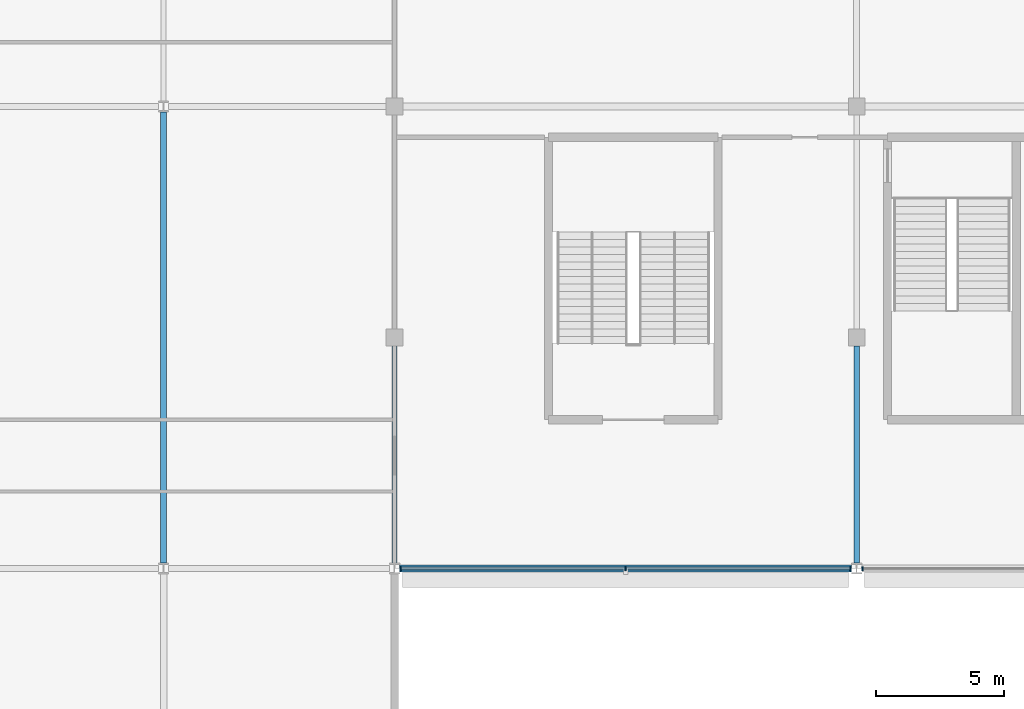
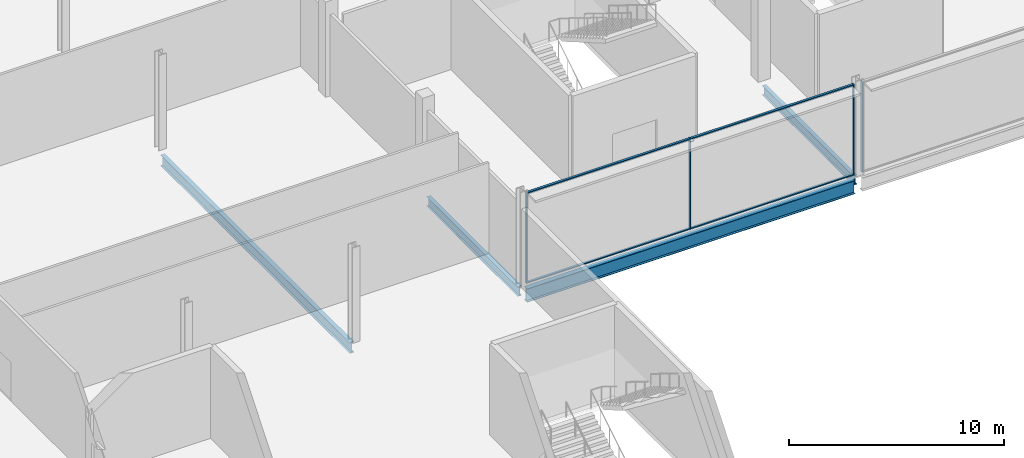
# One storey, part 27 of 111: 8 members, 4 beams, 2 elements without a shape of their own.
"""IFC4 building model written with IfcOpenShell, lengths in metres."""

from ifc_helpers import new_model, si_unit, direction, frame, origin, origin_2d, place, context, subcontext, project, spatial, rectangle, i_section, extrude, material, layer, layer_set, material_profile, profile_set, type_object, element, aggregate, save


model = new_model("IFC4")

# Units and contexts
model_context = context("Model", 3, precision=1e-05, world=origin(), true_north=direction((0.0, 1.0)))
body_context = subcontext(model_context, "Body", "Model", "MODEL_VIEW")
ifc_project = project(units=[si_unit("LENGTHUNIT", "METRE"), si_unit("AREAUNIT", "SQUARE_METRE"), si_unit("VOLUMEUNIT", "CUBIC_METRE"), si_unit("PLANEANGLEUNIT", "RADIAN"), si_unit("MASSUNIT", "GRAM", prefix="KILO")], contexts=[model_context])

# Site, building, storey
site_placement = place(None, origin())
site = spatial("IfcSite", under=ifc_project, at=site_placement, CompositionType="ELEMENT")
building_placement = place(site_placement, origin())
building = spatial("IfcBuilding", under=site, at=building_placement, Name="Kisiwana Market Hall", CompositionType="ELEMENT")
storey_placement = place(building_placement, frame((0.0, 0.0, 11.39990234375)))
storey = spatial("IfcBuildingStorey", under=building, at=storey_placement, Name="L02", CompositionType="ELEMENT", Elevation=11.39990234375)

# Beams
ifc_material_1 = material(Name="Steel S355", Category="steel")
ifc_material_profile_1 = material_profile(ifc_material_1, i_section(OverallWidth=0.209228515625, OverallDepth=0.533203125, WebThickness=0.010009765625, FlangeThickness=0.015625, at=origin_2d()), Name="UB 533x210x92")
ifc_profile_set_1 = profile_set([ifc_material_profile_1], Name="Steel S355")
beam_type_1 = type_object("IfcBeamType", Name="BM-GIRD-UB533", PredefinedType="BEAM", material=ifc_profile_set_1)
for number, where, z_axis, x_axis, name in (
    (1, (45.0, 84.21337890625, -0.516357421875), (0.0, 1.0, 0.0), (-1.0, 0.0, 0.0), "Primary girder B-0627"),
    (2, (63.0, 84.21337890625, -0.516357421875), (0.0, 1.0, 0.0), (-1.0, 0.0, 0.0), "Primary girder B-0634"),
):
    element("IfcBeam", number, at=place(storey_placement, frame(where, z_axis=z_axis, x_axis=x_axis)), inside=storey, type_object=beam_type_1, Name=name, PredefinedType="BEAM", context=body_context, shape_type="SweptSolid", body=[
        extrude(i_section(OverallWidth=0.209228515625, OverallDepth=0.533203125, WebThickness=0.010009765625, FlangeThickness=0.015625, at=origin_2d()), origin(), (0.0, 0.0, 1.0), 8.465576171875),
    ])
ifc_material_2 = material(Name="Steel S355", Category="steel")
ifc_material_profile_2 = material_profile(ifc_material_2, i_section(OverallWidth=0.22900390625, OverallDepth=0.6123046875, WebThickness=0.011962890625, FlangeThickness=0.01953125, at=origin_2d()), Name="UB 610x229x125")
ifc_profile_set_2 = profile_set([ifc_material_profile_2], Name="Steel S355")
beam_type_2 = type_object("IfcBeamType", Name="BM-GIRD-UB610H", PredefinedType="BEAM", material=ifc_profile_set_2)
beam_1_placement = place(storey_placement, frame((36.0, 84.21337890625, -0.555908203125), z_axis=(0.0, 1.0, 0.0), x_axis=(-1.0, 0.0, 0.0)))
element("IfcBeam", 3, at=beam_1_placement, inside=storey, type_object=beam_type_2, Name="Primary girder B-0620", PredefinedType="BEAM", context=body_context, shape_type="SweptSolid", body=[
    extrude(i_section(OverallWidth=0.22900390625, OverallDepth=0.6123046875, WebThickness=0.011962890625, FlangeThickness=0.01953125, at=origin_2d()), origin(), (0.0, 0.0, 1.0), 17.5732421875),
])
ifc_material_3 = material(Name="Steel S355", Category="steel")
ifc_material_profile_3 = material_profile(ifc_material_3, i_section(OverallWidth=0.2666015625, OverallDepth=0.76220703125, WebThickness=0.014404296875, FlangeThickness=0.021484375, at=origin_2d()), Name="UB 762x267x173")
ifc_profile_set_3 = profile_set([ifc_material_profile_3], Name="Steel S355")
beam_type_3 = type_object("IfcBeamType", Name="BM-GIRD-UB762", PredefinedType="BEAM", material=ifc_profile_set_3)
beam_2_placement = place(storey_placement, frame((45.201904296875, 84.0, -0.631103515625), z_axis=(1.0, 0.0, 0.0), x_axis=(0.0, 1.0, 0.0)))
element("IfcBeam", 4, at=beam_2_placement, inside=storey, type_object=beam_type_3, Name="Floor beam B-0777", PredefinedType="BEAM", context=body_context, shape_type="SweptSolid", body=[
    extrude(i_section(OverallWidth=0.2666015625, OverallDepth=0.76220703125, WebThickness=0.014404296875, FlangeThickness=0.021484375, at=origin_2d()), origin(), (0.0, 0.0, 1.0), 17.59619140625),
])

# Curtain wall, members
ifc_material_4 = material(Name="Double-glazed solar-control low-E IGU", Category="glass")
ifc_layer = layer(ifc_material_4, 0.159912109375)
ifc_layer_set = layer_set([ifc_layer], Name="CW-GLD-W-6400")
curtain_wall_type = type_object("IfcCurtainWallType", Name="CW-GLD-W-6400", PredefinedType="USERDEFINED", material=ifc_layer_set)
curtain_wall_1_placement = place(storey_placement, origin())
curtain_wall_1 = element("IfcCurtainWall", 5, at=curtain_wall_1_placement, inside=storey, type_object=curtain_wall_type, Name="Unitised curtain wall CW-071 (L02)", ObjectType="UNITISED CURTAIN WALL", PredefinedType="USERDEFINED")
ifc_material_5 = material(Name="Aluminium alloy 6063-T6", Category="aluminium")
ifc_material_profile_4 = material_profile(ifc_material_5, rectangle(XDim=0.06005859375, YDim=0.159912109375, at=origin_2d()), Name="ALU MULLION 60x160")
ifc_profile_set_4 = profile_set([ifc_material_profile_4], Name="Aluminium alloy 6063-T6")
member_type_1 = type_object("IfcMemberType", Name="CW-MULL-60x160", PredefinedType="MULLION", material=ifc_profile_set_4)
member_1_placement = place(storey_placement, frame((45.236083984375, 84.0, 0.0), z_axis=(0.0, 0.0, 1.0), x_axis=(1.0, 0.0, 0.0)))
member_1 = element("IfcMember", 6, at=member_1_placement, type_object=member_type_1, Name="CW-071 mullion 1", PredefinedType="MULLION", context=body_context, shape_type="SweptSolid", body=[
    extrude(rectangle(XDim=0.06005859375, YDim=0.159912109375, at=origin_2d()), origin(), (0.0, 0.0, 1.0), 5.150146484375),
])
member_2_placement = place(storey_placement, frame((54.0, 84.0, 0.0), z_axis=(0.0, 0.0, 1.0), x_axis=(1.0, 0.0, 0.0)))
member_2 = element("IfcMember", 7, at=member_2_placement, type_object=member_type_1, Name="CW-071 mullion 2", PredefinedType="MULLION", context=body_context, shape_type="SweptSolid", body=[
    extrude(rectangle(XDim=0.06005859375, YDim=0.159912109375, at=origin_2d()), origin(), (0.0, 0.0, 1.0), 5.150146484375),
])
member_3_placement = place(storey_placement, frame((62.763916015625, 84.0, 0.0), z_axis=(0.0, 0.0, 1.0), x_axis=(1.0, 0.0, 0.0)))
member_3 = element("IfcMember", 8, at=member_3_placement, type_object=member_type_1, Name="CW-071 mullion 3", PredefinedType="MULLION", context=body_context, shape_type="SweptSolid", body=[
    extrude(rectangle(XDim=0.06005859375, YDim=0.159912109375, at=origin_2d()), origin(), (0.0, 0.0, 1.0), 5.150146484375),
])

# Curtain wall, member
curtain_wall_2_placement = place(storey_placement, origin())
curtain_wall_2 = element("IfcCurtainWall", 9, at=curtain_wall_2_placement, inside=storey, type_object=curtain_wall_type, Name="Unitised curtain wall CW-072 (L02)", ObjectType="UNITISED CURTAIN WALL", PredefinedType="USERDEFINED")
member_4_placement = place(storey_placement, frame((63.236083984375, 84.0, 0.0), z_axis=(0.0, 0.0, 1.0), x_axis=(1.0, 0.0, 0.0)))
member_4 = element("IfcMember", 10, at=member_4_placement, type_object=member_type_1, Name="CW-072 mullion 1", PredefinedType="MULLION", context=body_context, shape_type="SweptSolid", body=[
    extrude(rectangle(XDim=0.06005859375, YDim=0.159912109375, at=origin_2d()), origin(), (0.0, 0.0, 1.0), 5.150146484375),
])
aggregate(curtain_wall_2, [member_4])

# Member
ifc_material_6 = material(Name="Aluminium alloy 6063-T6", Category="aluminium")
ifc_material_profile_5 = material_profile(ifc_material_6, rectangle(XDim=0.1201171875, YDim=0.06005859375, at=origin_2d()), Name="ALU TRANSOM 60x120")
ifc_profile_set_5 = profile_set([ifc_material_profile_5], Name="Aluminium alloy 6063-T6")
member_type_2 = type_object("IfcMemberType", Name="CW-TRAN-60x120", PredefinedType="USERDEFINED", material=ifc_profile_set_5)
member_5_placement = place(storey_placement, frame((45.26611328125, 84.0, 0.030029296875), z_axis=(1.0, 0.0, 0.0), x_axis=(0.0, 1.0, 0.0)))
member_5 = element("IfcMember", 11, at=member_5_placement, type_object=member_type_2, Name="CW-071 transom 1.1", ObjectType="TRANSOM", PredefinedType="USERDEFINED", context=body_context, shape_type="SweptSolid", body=[
    extrude(rectangle(XDim=0.1201171875, YDim=0.06005859375, at=origin_2d()), origin(), (0.0, 0.0, 1.0), 8.703857421875),
])

member_6_placement = place(storey_placement, frame((45.26611328125, 84.0, 5.1201171875), z_axis=(1.0, 0.0, 0.0), x_axis=(0.0, 1.0, 0.0)))
member_6 = element("IfcMember", 12, at=member_6_placement, type_object=member_type_2, Name="CW-071 transom 1.2", ObjectType="TRANSOM", PredefinedType="USERDEFINED", context=body_context, shape_type="SweptSolid", body=[
    extrude(rectangle(XDim=0.1201171875, YDim=0.06005859375, at=origin_2d()), origin(), (0.0, 0.0, 1.0), 8.703857421875),
])

member_7_placement = place(storey_placement, frame((54.030029296875, 84.0, 0.030029296875), z_axis=(1.0, 0.0, 0.0), x_axis=(0.0, 1.0, 0.0)))
member_7 = element("IfcMember", 13, at=member_7_placement, type_object=member_type_2, Name="CW-071 transom 2.1", ObjectType="TRANSOM", PredefinedType="USERDEFINED", context=body_context, shape_type="SweptSolid", body=[
    extrude(rectangle(XDim=0.1201171875, YDim=0.06005859375, at=origin_2d()), origin(), (0.0, 0.0, 1.0), 8.703857421875),
])

member_8_placement = place(storey_placement, frame((54.030029296875, 84.0, 5.1201171875), z_axis=(1.0, 0.0, 0.0), x_axis=(0.0, 1.0, 0.0)))
member_8 = element("IfcMember", 14, at=member_8_placement, type_object=member_type_2, Name="CW-071 transom 2.2", ObjectType="TRANSOM", PredefinedType="USERDEFINED", context=body_context, shape_type="SweptSolid", body=[
    extrude(rectangle(XDim=0.1201171875, YDim=0.06005859375, at=origin_2d()), origin(), (0.0, 0.0, 1.0), 8.703857421875),
])

aggregate(curtain_wall_1, [member_1, member_2, member_3, member_5, member_6, member_7, member_8])

save(model, "model.ifc")
